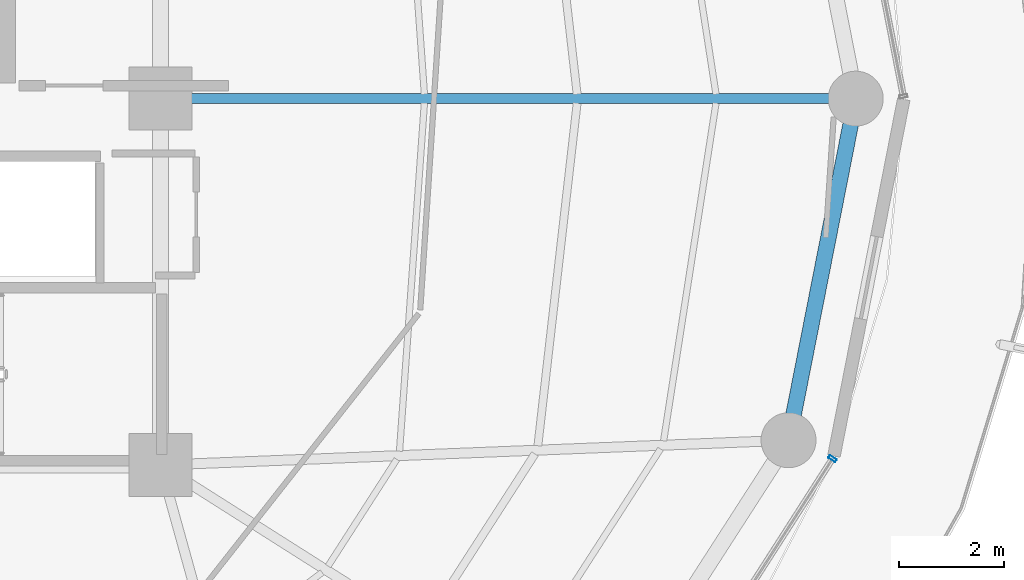
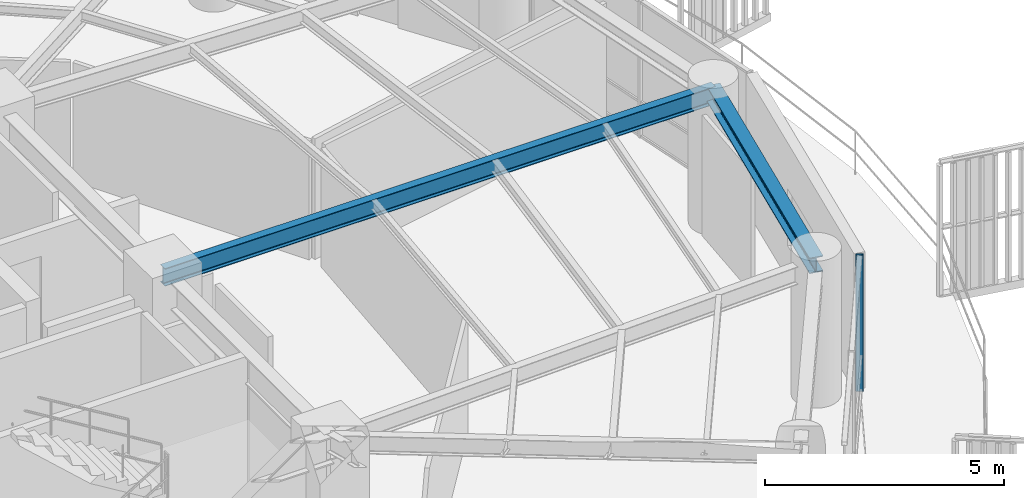
# One storey, part 13 of 31: 2 beams, 1 member, 1 element without a shape of its own.
"""IFC4 building model written with IfcOpenShell, lengths in metres."""

from ifc_helpers import new_model, si_unit, direction, frame, origin, origin_2d, place, context, subcontext, project, spatial, hollow_rectangle, i_section, extrude, material, layer, layer_set, material_profile, profile_set, type_object, element, aggregate, save


model = new_model("IFC4")

# Units and contexts
model_context = context("Model", 3, precision=1e-05, world=origin(), true_north=direction((0.0, 1.0)))
body_context = subcontext(model_context, "Body", "Model", "MODEL_VIEW")
ifc_project = project(units=[si_unit("LENGTHUNIT", "METRE"), si_unit("AREAUNIT", "SQUARE_METRE"), si_unit("VOLUMEUNIT", "CUBIC_METRE"), si_unit("PLANEANGLEUNIT", "RADIAN"), si_unit("MASSUNIT", "GRAM", prefix="KILO")], contexts=[model_context])

# Site, building, storey
site_placement = place(None, origin())
site = spatial("IfcSite", under=ifc_project, at=site_placement, CompositionType="ELEMENT")
building_placement = place(site_placement, origin())
building = spatial("IfcBuilding", under=site, at=building_placement, Name="Kelanora Arch Commons", CompositionType="ELEMENT")
storey_placement = place(building_placement, frame((0.0, 0.0, 200.699951171875)))
storey = spatial("IfcBuildingStorey", under=building, at=storey_placement, Name="L51", CompositionType="ELEMENT", Elevation=200.699951171875)

# Beams
ifc_material_1 = material(Name="Steel S355", Category="steel")
ifc_material_profile_1 = material_profile(ifc_material_1, i_section(OverallWidth=0.18994140625, OverallDepth=0.449951171875, WebThickness=0.009521484375, FlangeThickness=0.0146484375, FilletRadius=0.02099609375, at=origin_2d()), Name="IPE450")
ifc_profile_set_1 = profile_set([ifc_material_profile_1], Name="Steel S355")
beam_type_1 = type_object("IfcBeamType", Name="BM-RAD-Z4", PredefinedType="BEAM", material=ifc_profile_set_1)
beam_1_placement = place(storey_placement, frame((82.0, 58.0, 3.26513671875), z_axis=(1.0, 0.0, 0.0), x_axis=(0.0, 1.0, 0.0)))
element("IfcBeam", 1, at=beam_1_placement, inside=storey, type_object=beam_type_1, Name="Radial Floor Girder BR-00 L51", PredefinedType="BEAM", context=body_context, shape_type="SweptSolid", body=[
    extrude(i_section(OverallWidth=0.18994140625, OverallDepth=0.449951171875, WebThickness=0.009521484375, FlangeThickness=0.0146484375, FilletRadius=0.02099609375, at=origin_2d()), origin(), (0.0, 0.0, 1.0), 13.280029296875),
])
ifc_material_profile_2 = material_profile(ifc_material_1, i_section(OverallWidth=0.300048828125, OverallDepth=0.39990234375, WebThickness=0.013427734375, FlangeThickness=0.02392578125, FilletRadius=0.027099609375, at=origin_2d()), Name="HEB400")
ifc_profile_set_2 = profile_set([ifc_material_profile_2], Name="Steel S355")
beam_type_2 = type_object("IfcBeamType", Name="BM-SPN-Z4", PredefinedType="SPANDREL", material=ifc_profile_set_2)
beam_2_placement = place(storey_placement, frame((93.99658203125, 51.474365234375, 3.2900390625), z_axis=(0.192980724826, 0.981202547819, 0.0), x_axis=(-0.981202547819, 0.192980724826, 0.0)))
element("IfcBeam", 2, at=beam_2_placement, inside=storey, type_object=beam_type_2, Name="Perimeter Spandrel Beam BS-34 L51", PredefinedType="SPANDREL", context=body_context, shape_type="SweptSolid", body=[
    extrude(i_section(OverallWidth=0.300048828125, OverallDepth=0.39990234375, WebThickness=0.013427734375, FlangeThickness=0.02392578125, FilletRadius=0.027099609375, at=origin_2d()), origin(), (0.0, 0.0, 1.0), 6.650634765625),
])

# Curtain wall, member
ifc_material_2 = material(Name="Terracotta ceramic-fritted low-E glass and aluminium", Category="masonry")
ifc_layer = layer(ifc_material_2, 0.175048828125)
ifc_layer_set = layer_set([ifc_layer], Name="Terracotta ceramic-fritted low-E glass and aluminium")
curtain_wall_type = type_object("IfcCurtainWallType", Name="CW-SYS-02", PredefinedType="NOTDEFINED", material=ifc_layer_set)
curtain_wall_placement = place(storey_placement, origin())
curtain_wall = element("IfcCurtainWall", 3, at=curtain_wall_placement, inside=storey, type_object=curtain_wall_type, Name="Unitised Curtain Wall L51-B16", PredefinedType="NOTDEFINED")
ifc_material_3 = material(Name="Powder-coated aluminium terracotta", Category="masonry")
ifc_material_profile_3 = material_profile(ifc_material_3, hollow_rectangle(XDim=0.159912109375, YDim=0.06005859375, WallThickness=0.0048828125, InnerFilletRadius=0.0048828125, OuterFilletRadius=0.010009765625, at=origin_2d()), Name="CWM160x60")
ifc_profile_set_3 = profile_set([ifc_material_profile_3], Name="Powder-coated aluminium terracotta")
member_type = type_object("IfcMemberType", Name="CWM-STD", PredefinedType="MULLION", material=ifc_profile_set_3)
member_placement = place(storey_placement, frame((94.8369140625, 51.121826171875, 0.0), z_axis=(0.0, 0.0, 1.0), x_axis=(-0.84194757539, 0.539559338994, 0.0)))
member = element("IfcMember", 4, at=member_placement, type_object=member_type, Name="CW-02 mullion 3", PredefinedType="MULLION", context=body_context, shape_type="SweptSolid", body=[
    extrude(hollow_rectangle(XDim=0.159912109375, YDim=0.06005859375, WallThickness=0.0048828125, InnerFilletRadius=0.0048828125, OuterFilletRadius=0.010009765625, at=origin_2d()), origin(), (0.0, 0.0, 1.0), 3.47509765625),
])
aggregate(curtain_wall, [member])

save(model, "model.ifc")
